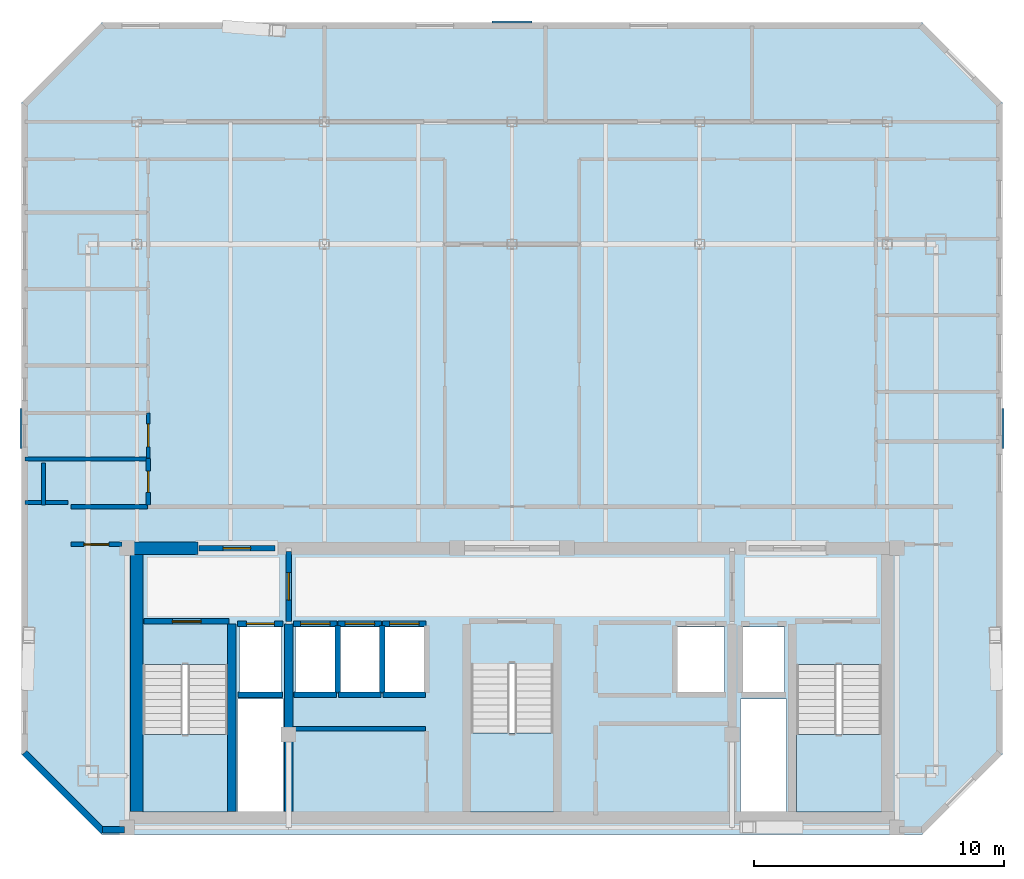
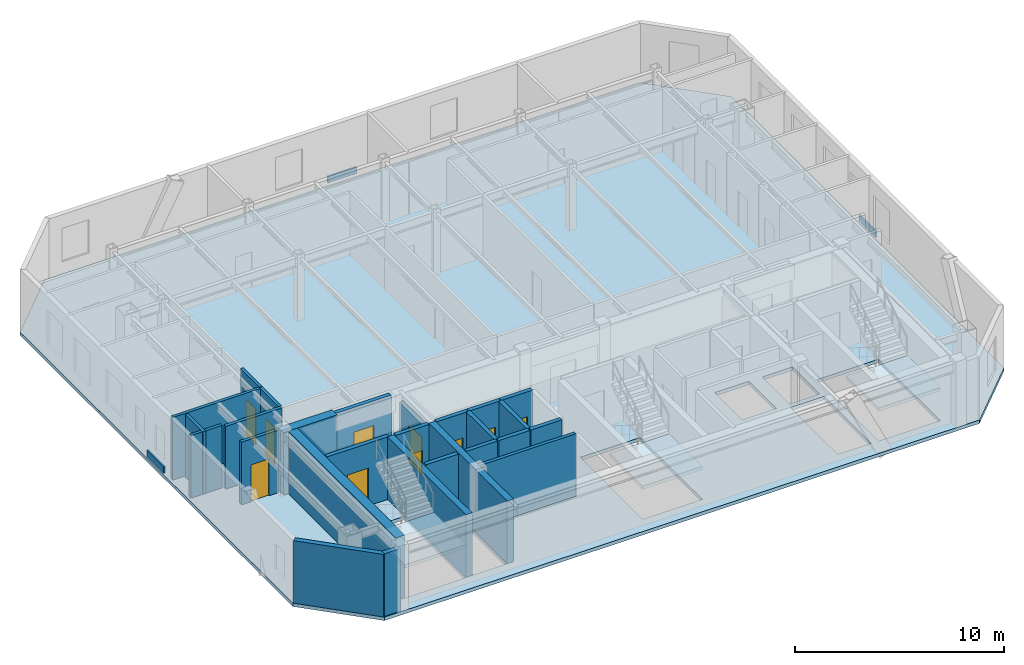
# One storey, part 2 of 7: 27 walls, 10 doors, 4 slabs, 3 plates, 10 openings, 3 elements without a shape of their own.
"""IFC4 building model written with IfcOpenShell, lengths in metres."""

from ifc_helpers import new_model, si_unit, direction, frame, frame_2d, origin, origin_2d, place, context, subcontext, project, spatial, polyline, rectangle, outline, extrude, material, layer, layer_set, type_object, element, fill, aggregate, save


model = new_model("IFC4")

# Units and contexts
model_context = context("Model", 3, precision=1e-05, world=origin(), true_north=direction((0.0, 1.0)))
body_context = subcontext(model_context, "Body", "Model", "MODEL_VIEW")
ifc_project = project(units=[si_unit("LENGTHUNIT", "METRE"), si_unit("AREAUNIT", "SQUARE_METRE"), si_unit("VOLUMEUNIT", "CUBIC_METRE"), si_unit("PLANEANGLEUNIT", "RADIAN"), si_unit("MASSUNIT", "GRAM", prefix="KILO")], contexts=[model_context])

# Site, building, storey
site_placement = place(None, origin())
site = spatial("IfcSite", under=ifc_project, at=site_placement, CompositionType="ELEMENT")
building_placement = place(site_placement, origin())
building = spatial("IfcBuilding", under=site, at=building_placement, Name="Ventersveld Concourse Tower", CompositionType="ELEMENT")
storey_placement = place(building_placement, frame((0.0, 0.0, 324.60009765625)))
storey = spatial("IfcBuildingStorey", under=building, at=storey_placement, Name="L80", CompositionType="ELEMENT", Elevation=324.60009765625)

# Plates
ifc_material_1 = material(Name="Precast concrete C45/55", Category="concrete")
ifc_layer_1 = layer(ifc_material_1, 0.080078125)
ifc_layer_set_1 = layer_set([ifc_layer_1], Name="Precast concrete C45/55")
plate_type = type_object("IfcPlateType", Name="PL-SPAND-80", PredefinedType="SHEET", material=ifc_layer_set_1)
for number, where, z_axis, x_axis, name in (
    (1, (48.384765625, 16.2353515625, 0.169921875), (0.0, 0.0, 1.0), (0.0, 1.0, 0.0), "L80 Litema Bas-Relief Precast Spandrel Cassette 1"),
    (2, (28.75, 32.490478515625, 0.169921875), (0.0, 0.0, 1.0), (-1.0, 0.0, 0.0), "L80 Litema Bas-Relief Precast Spandrel Cassette 1"),
    (3, (9.115234375, 16.2353515625, 0.169921875), (0.0, 0.0, 1.0), (0.0, -1.0, 0.0), "L80 Litema Bas-Relief Precast Spandrel Cassette 1"),
):
    element("IfcPlate", number, at=place(storey_placement, frame(where, z_axis=z_axis, x_axis=x_axis)), inside=storey, type_object=plate_type, Name=name, PredefinedType="SHEET", context=body_context, shape_type="SweptSolid", body=[
        extrude(rectangle(XDim=1.60009765625, YDim=0.080078125, at=origin_2d()), origin(), (0.0, 0.0, 1.0), 0.3798828125),
    ])

# Slab
ifc_material_2 = material(Name="Concrete C50/60", Category="concrete")
ifc_layer_2 = layer(ifc_material_2, 0.199951171875)
ifc_layer_set_2 = layer_set([ifc_layer_2], Name="Concrete C50/60")
slab_type_1 = type_object("IfcSlabType", Name="SL-FLR-200", PredefinedType="FLOOR", material=ifc_layer_set_2)
slab_1_placement = place(storey_placement, frame((0.0, 0.0, -0.2001953125)))
element("IfcSlab", 4, at=slab_1_placement, inside=storey, type_object=slab_type_1, Name="L80 Composite Floor Slab", PredefinedType="FLOOR", context=body_context, shape_type="SweptSolid", body=[
    extrude(outline(polyline([(12.335205078125, 0.0), (45.164794921875, 0.0), (48.36474609375, 3.199951171875), (48.36474609375, 29.2705078125), (45.164794921875, 32.470703125), (12.335205078125, 32.470703125), (9.13525390625, 29.2705078125), (9.13525390625, 3.199951171875), (12.335205078125, 0.0)]), holes=[polyline([(13.97998046875, 6.794921875), (13.97998046875, 0.89990234375), (17.3798828125, 0.89990234375), (17.3798828125, 6.794921875), (13.97998046875, 6.794921875)]), polyline([(40.1201171875, 6.794921875), (40.1201171875, 0.89990234375), (43.52001953125, 0.89990234375), (43.52001953125, 6.794921875), (40.1201171875, 6.794921875)]), polyline([(27.10009765625, 6.844970703125), (27.10009765625, 0.89990234375), (30.39990234375, 0.89990234375), (30.39990234375, 6.844970703125), (27.10009765625, 6.844970703125)]), polyline([(17.85009765625, 5.699951171875), (19.530029296875, 5.699951171875), (19.530029296875, 8.300048828125), (17.85009765625, 8.300048828125), (17.85009765625, 5.699951171875)]), polyline([(37.969970703125, 5.699951171875), (39.64990234375, 5.699951171875), (39.64990234375, 8.300048828125), (37.969970703125, 8.300048828125), (37.969970703125, 5.699951171875)]), polyline([(35.35009765625, 5.699951171875), (37.25, 5.699951171875), (37.25, 8.300048828125), (35.35009765625, 8.300048828125), (35.35009765625, 5.699951171875)]), polyline([(20.090087890625, 5.699951171875), (21.68994140625, 5.699951171875), (21.68994140625, 8.300048828125), (20.090087890625, 8.300048828125), (20.090087890625, 5.699951171875)]), polyline([(21.8701171875, 5.699951171875), (23.469970703125, 5.699951171875), (23.469970703125, 8.300048828125), (21.8701171875, 8.300048828125), (21.8701171875, 5.699951171875)]), polyline([(23.64990234375, 5.699951171875), (25.25, 5.699951171875), (25.25, 8.300048828125), (23.64990234375, 8.300048828125), (23.64990234375, 5.699951171875)]), polyline([(17.780029296875, 0.919921875), (19.6201171875, 0.919921875), (19.6201171875, 5.419921875), (17.780029296875, 5.419921875), (17.780029296875, 0.919921875)]), polyline([(37.8798828125, 0.919921875), (39.719970703125, 0.919921875), (39.719970703125, 5.419921875), (37.8798828125, 5.419921875), (37.8798828125, 0.919921875)])]), origin(), (0.0, 0.0, 1.0), 0.2001953125),
])

# Stair, slab
stair_type_1 = type_object("IfcStairType", Name="ST-DOG-160", PredefinedType="HALF_TURN_STAIR", material=ifc_material_2)
stair_1_placement = place(storey_placement, origin())
stair_1 = element("IfcStair", 5, at=stair_1_placement, inside=storey, type_object=stair_type_1, Name="L80 Protected Tower Escape Stair ST-01", PredefinedType="HALF_TURN_STAIR")
ifc_layer_3 = layer(ifc_material_2, 0.199951171875)
ifc_layer_set_3 = layer_set([ifc_layer_3], Name="Concrete C50/60")
slab_type_2 = type_object("IfcSlabType", Name="SL-LND-200", PredefinedType="LANDING", material=ifc_layer_set_3)
slab_2_placement = place(storey_placement, frame((0.0, 0.0, 1.724853515625)))
slab_2 = element("IfcSlab", 6, at=slab_2_placement, type_object=slab_type_2, Name="ST-01 landing 1", PredefinedType="LANDING", context=body_context, shape_type="SweptSolid", body=[
    extrude(outline(polyline([(13.97998046875, 4.0), (13.97998046875, 0.89990234375), (17.3798828125, 0.89990234375), (17.3798828125, 4.0), (13.97998046875, 4.0)])), origin(), (0.0, 0.0, 1.0), 0.199951171875),
])
aggregate(stair_1, [slab_2])

stair_2_placement = place(storey_placement, origin())
stair_2 = element("IfcStair", 7, at=stair_2_placement, inside=storey, type_object=stair_type_1, Name="L80 Protected Tower Escape Stair ST-02", PredefinedType="HALF_TURN_STAIR")
slab_3_placement = place(storey_placement, frame((0.0, 0.0, 1.724853515625)))
slab_3 = element("IfcSlab", 8, at=slab_3_placement, type_object=slab_type_2, Name="ST-02 landing 1", PredefinedType="LANDING", context=body_context, shape_type="SweptSolid", body=[
    extrude(outline(polyline([(40.1201171875, 4.0), (40.1201171875, 0.89990234375), (43.52001953125, 0.89990234375), (43.52001953125, 4.0), (40.1201171875, 4.0)])), origin(), (0.0, 0.0, 1.0), 0.199951171875),
])
aggregate(stair_2, [slab_3])

stair_type_2 = type_object("IfcStairType", Name="ST-DOG-155", PredefinedType="HALF_TURN_STAIR", material=ifc_material_2)
stair_3_placement = place(storey_placement, origin())
stair_3 = element("IfcStair", 9, at=stair_3_placement, inside=storey, type_object=stair_type_2, Name="L80 Protected Central Core Escape Stair ST-03", PredefinedType="HALF_TURN_STAIR")
slab_4_placement = place(storey_placement, frame((0.0, 0.0, 1.724853515625)))
slab_4 = element("IfcSlab", 10, at=slab_4_placement, type_object=slab_type_2, Name="ST-03 landing 1", PredefinedType="LANDING", context=body_context, shape_type="SweptSolid", body=[
    extrude(outline(polyline([(27.10009765625, 4.050048828125), (27.10009765625, 0.89990234375), (30.39990234375, 0.89990234375), (30.39990234375, 4.050048828125), (27.10009765625, 4.050048828125)])), origin(), (0.0, 0.0, 1.0), 0.199951171875),
])
aggregate(stair_3, [slab_4])

# Walls
ifc_layer_4 = layer(ifc_material_2, 0.35009765625)
ifc_layer_set_4 = layer_set([ifc_layer_4], Name="Concrete C50/60")
wall_type_1 = type_object("IfcWallType", Name="WL-CORE-350U", PredefinedType="SHEAR", material=ifc_layer_set_4)
for number, where, z_axis, x_axis, name in (
    (11, (17.5400390625, 0.919921875, 0.0), (0.0, 0.0, 1.0), (0.0, 1.0, 0.0), "L80 Core Internal Shear Web W-ST1-E"),
    (12, (19.820068359375, 0.919921875, 0.0), (0.0, 0.0, 1.0), (0.0, 1.0, 0.0), "L80 Core Internal Shear Web W-FF1-E"),
):
    element("IfcWall", number, at=place(storey_placement, frame(where, z_axis=z_axis, x_axis=x_axis)), inside=storey, type_object=wall_type_1, Name=name, PredefinedType="SHEAR", context=body_context, shape_type="SweptSolid", body=[
        extrude(rectangle(XDim=7.5, YDim=0.35009765625, at=frame_2d((3.75, 0.0))), origin(), (0.0, 0.0, 1.0), 3.64990234375),
    ])
ifc_layer_5 = layer(ifc_material_2, 0.5)
ifc_layer_set_5 = layer_set([ifc_layer_5], Name="Concrete C50/60")
wall_type_2 = type_object("IfcWallType", Name="WL-CORE-500", PredefinedType="SHEAR", material=ifc_layer_set_5)
wall_1_placement = place(storey_placement, frame((13.75, 0.919921875, 0.0), z_axis=(0.0, 0.0, 1.0), x_axis=(0.0, 1.0, 0.0)))
element("IfcWall", 13, at=wall_1_placement, inside=storey, type_object=wall_type_2, Name="L80 Rear Core West Shear Wall", PredefinedType="SHEAR", context=body_context, shape_type="SweptSolid", body=[
    extrude(rectangle(XDim=10.530029296875, YDim=0.5, at=frame_2d((5.26513671875, 0.0))), origin(), (0.0, 0.0, 1.0), 3.64990234375),
])
wall_2_placement = place(storey_placement, frame((13.25, 11.449951171875, 0.0), z_axis=(0.0, 0.0, 1.0), x_axis=(1.0, 0.0, 0.0)))
element("IfcWall", 14, at=wall_2_placement, inside=storey, type_object=wall_type_2, Name="L80 Rear Core North Shear Wall NW", PredefinedType="SHEAR", context=body_context, shape_type="SweptSolid", body=[
    extrude(rectangle(XDim=2.949951171875, YDim=0.5, at=frame_2d((1.47509765625, 0.0))), origin(), (0.0, 0.0, 1.0), 3.64990234375),
])
ifc_material_3 = material(Name="Fire-rated autoclaved aerated masonry blockwork", Category="masonry")
ifc_layer_6 = layer(ifc_material_3, 0.179931640625)
ifc_layer_set_6 = layer_set([ifc_layer_6], Name="Fire-rated autoclaved aerated masonry blockwork")
wall_type_3 = type_object("IfcWallType", Name="WL-CORR-180", PredefinedType="PARTITIONING", material=ifc_layer_set_6)
wall_3_placement = place(storey_placement, frame((19.97998046875, 4.22998046875, 0.0), z_axis=(0.0, 0.0, 1.0), x_axis=(1.0, 0.0, 0.0)))
element("IfcWall", 15, at=wall_3_placement, inside=storey, type_object=wall_type_3, Name="L80 Core Top Wall SP-L80-RECB1A", PredefinedType="PARTITIONING", context=body_context, shape_type="SweptSolid", body=[
    extrude(rectangle(XDim=5.320068359375, YDim=0.179931640625, at=frame_2d((2.66015625, 0.0))), origin(), (0.0, 0.0, 1.0), 3.64990234375),
])

# Wall, opening, door
wall_4_placement = place(storey_placement, frame((11.10498046875, 11.60009765625, 0.0), z_axis=(0.0, 0.0, 1.0), x_axis=(1.0, 0.0, 0.0)))
wall_4 = element("IfcWall", 16, at=wall_4_placement, inside=storey, type_object=wall_type_3, Name="L80 Interior Partition SP-L80-SW-GAL-SP-L80-COR", PredefinedType="PARTITIONING", context=body_context, shape_type="SweptSolid", body=[
    extrude(rectangle(XDim=2.0400390625, YDim=0.179931640625, at=frame_2d((1.02001953125, 0.0))), origin(), (0.0, 0.0, 1.0), 3.64990234375),
])
opening_1_placement = place(wall_4_placement, frame((0.52001953125, 0.0, 0.0)))
opening_1 = element("IfcOpeningElement", 17, at=opening_1_placement, cuts=wall_4, Name="Opening FD3", PredefinedType="OPENING", context=body_context, shape_type="SweptSolid", body=[
    extrude(rectangle(XDim=1.0, YDim=2.14990234375, at=frame_2d((0.5, 1.074951171875))), frame((0.0, 0.10009765625, 0.0), z_axis=(0.0, -1.0, 0.0), x_axis=(1.0, 0.0, 0.0)), (0.0, 0.0, 1.0), 0.199951171875),
])
ifc_material_4 = material(Name="Solid-core hardwood veneer timber", Category="wood")
door_type_1 = type_object("IfcDoorType", Name="DR-FLAT-100", OperationType="NOTDEFINED", PredefinedType="DOOR", material=ifc_material_4)
door_1_placement = place(opening_1_placement, origin())
door_1 = element("IfcDoor", 18, at=door_1_placement, inside=storey, type_object=door_type_1, Name="L80 Interior Door SP-L80-SW-GAL to SP-L80-COR (D-L80-3639)", OperationType="SINGLE_SWING_LEFT", OverallHeight=2.14990234375, OverallWidth=1.0, PredefinedType="DOOR", context=body_context, shape_type="SweptSolid", body=[
    extrude(rectangle(XDim=1.0, YDim=2.14990234375, at=frame_2d((0.5, 1.074951171875))), frame((0.0, 0.02490234375, 0.0), z_axis=(0.0, -1.0, 0.0), x_axis=(1.0, 0.0, 0.0)), (0.0, 0.0, 1.0), 0.050048828125),
])
fill(opening_1, door_1)

# Walls
wall_5_placement = place(storey_placement, frame((11.10498046875, 13.114990234375, 0.0), z_axis=(0.0, 0.0, 1.0), x_axis=(1.0, 0.0, 0.0)))
element("IfcWall", 19, at=wall_5_placement, inside=storey, type_object=wall_type_3, Name="L80 Interior Partition SP-L80-COR-SP-L80-80N1-BATH", PredefinedType="PARTITIONING", context=body_context, shape_type="SweptSolid", body=[
    extrude(rectangle(XDim=3.065185546875, YDim=0.179931640625, at=frame_2d((1.53271484375, 0.0))), origin(), (0.0, 0.0, 1.0), 3.64990234375),
])
ifc_layer_7 = layer(ifc_material_3, 0.219970703125)
ifc_layer_set_7 = layer_set([ifc_layer_7], Name="Fire-rated autoclaved aerated masonry blockwork")
wall_type_4 = type_object("IfcWallType", Name="WL-HOIST-220", PredefinedType="SOLIDWALL", material=ifc_layer_set_7)
wall_6_placement = place(storey_placement, frame((17.800048828125, 5.590087890625, 0.0), z_axis=(0.0, 0.0, 1.0), x_axis=(1.0, 0.0, 0.0)))
element("IfcWall", 20, at=wall_6_placement, inside=storey, type_object=wall_type_4, Name="L80 Lift Hoistway Back Wall FFL-01", PredefinedType="SOLIDWALL", context=body_context, shape_type="SweptSolid", body=[
    extrude(rectangle(XDim=1.780029296875, YDim=0.219970703125, at=frame_2d((0.89013671875, 0.0))), origin(), (0.0, 0.0, 1.0), 3.64990234375),
])

# Wall, opening, door
wall_7_placement = place(storey_placement, frame((17.780029296875, 8.429931640625, 0.0), z_axis=(0.0, 0.0, 1.0), x_axis=(1.0, 0.0, 0.0)))
wall_7 = element("IfcWall", 21, at=wall_7_placement, inside=storey, type_object=wall_type_4, Name="L80 Lift Hoistway Front Wall FFL-01", PredefinedType="SOLIDWALL", context=body_context, shape_type="SweptSolid", body=[
    extrude(rectangle(XDim=1.820068359375, YDim=0.219970703125, at=frame_2d((0.91015625, 0.0))), origin(), (0.0, 0.0, 1.0), 3.64990234375),
])
opening_2_placement = place(wall_7_placement, frame((0.35009765625, 0.0, 0.0)))
opening_2 = element("IfcOpeningElement", 22, at=opening_2_placement, cuts=wall_7, Name="Opening LD1", PredefinedType="OPENING", context=body_context, shape_type="SweptSolid", body=[
    extrude(rectangle(XDim=1.1201171875, YDim=2.25, at=frame_2d((0.56005859375, 1.125))), frame((0.0, 0.1201171875, 0.0), z_axis=(0.0, -1.0, 0.0), x_axis=(1.0, 0.0, 0.0)), (0.0, 0.0, 1.0), 0.239990234375),
])
ifc_material_5 = material(Name="Brushed stainless steel 316", Category="steel")
door_type_2 = type_object("IfcDoorType", Name="LD-FF-112", OperationType="SLIDING_TO_LEFT", PredefinedType="DOOR", material=ifc_material_5)
door_2_placement = place(opening_2_placement, origin())
door_2 = element("IfcDoor", 23, at=door_2_placement, inside=storey, type_object=door_type_2, Name="L80 Lift landing door FFL-01 (LD-L80-FFL-01)", OperationType="SLIDING_TO_RIGHT", OverallHeight=2.25, OverallWidth=1.1201171875, PredefinedType="DOOR", context=body_context, shape_type="SweptSolid", body=[
    extrude(rectangle(XDim=1.1201171875, YDim=2.25, at=frame_2d((0.56005859375, 1.125))), frame((0.0, 0.02490234375, 0.0), z_axis=(0.0, -1.0, 0.0), x_axis=(1.0, 0.0, 0.0)), (0.0, 0.0, 1.0), 0.050048828125),
])
fill(opening_2, door_2)

# Walls
wall_8_placement = place(storey_placement, frame((20.0400390625, 5.590087890625, 0.0), z_axis=(0.0, 0.0, 1.0), x_axis=(1.0, 0.0, 0.0)))
element("IfcWall", 24, at=wall_8_placement, inside=storey, type_object=wall_type_4, Name="L80 Lift Hoistway Back Wall PH-01", PredefinedType="SOLIDWALL", context=body_context, shape_type="SweptSolid", body=[
    extrude(rectangle(XDim=1.699951171875, YDim=0.219970703125, at=frame_2d((0.85009765625, 0.0))), origin(), (0.0, 0.0, 1.0), 3.64990234375),
])
wall_9_placement = place(storey_placement, frame((21.780029296875, 5.64990234375, 0.0), z_axis=(0.0, 0.0, 1.0), x_axis=(0.0, 1.0, 0.0)))
element("IfcWall", 25, at=wall_9_placement, inside=storey, type_object=wall_type_4, Name="L80 Lift Hoistway Side Wall PH-01E", PredefinedType="SOLIDWALL", context=body_context, shape_type="SweptSolid", body=[
    extrude(rectangle(XDim=2.7001953125, YDim=0.219970703125, at=frame_2d((1.35009765625, 0.0))), origin(), (0.0, 0.0, 1.0), 3.64990234375),
])

# Wall, opening, door
wall_10_placement = place(storey_placement, frame((20.02001953125, 8.429931640625, 0.0), z_axis=(0.0, 0.0, 1.0), x_axis=(1.0, 0.0, 0.0)))
wall_10 = element("IfcWall", 26, at=wall_10_placement, inside=storey, type_object=wall_type_4, Name="L80 Lift Hoistway Front Wall PH-01", PredefinedType="SOLIDWALL", context=body_context, shape_type="SweptSolid", body=[
    extrude(rectangle(XDim=1.739990234375, YDim=0.219970703125, at=frame_2d((0.8701171875, 0.0))), origin(), (0.0, 0.0, 1.0), 3.64990234375),
])
opening_3_placement = place(wall_10_placement, frame((0.280029296875, 0.0, 0.0)))
opening_3 = element("IfcOpeningElement", 27, at=opening_3_placement, cuts=wall_10, Name="Opening LD2", PredefinedType="OPENING", context=body_context, shape_type="SweptSolid", body=[
    extrude(rectangle(XDim=1.179931640625, YDim=2.199951171875, at=frame_2d((0.58984375, 1.10009765625))), frame((0.0, 0.1201171875, 0.0), z_axis=(0.0, -1.0, 0.0), x_axis=(1.0, 0.0, 0.0)), (0.0, 0.0, 1.0), 0.239990234375),
])
door_type_3 = type_object("IfcDoorType", Name="LD-PAX-118", OperationType="SLIDING_TO_LEFT", PredefinedType="DOOR", material=ifc_material_5)
door_3_placement = place(opening_3_placement, origin())
door_3 = element("IfcDoor", 28, at=door_3_placement, inside=storey, type_object=door_type_3, Name="L80 Lift landing door PH-01 (LD-L80-PH-01)", OperationType="SLIDING_TO_LEFT", OverallHeight=2.199951171875, OverallWidth=1.179931640625, PredefinedType="DOOR", context=body_context, shape_type="SweptSolid", body=[
    extrude(rectangle(XDim=1.179931640625, YDim=2.199951171875, at=frame_2d((0.58984375, 1.10009765625))), frame((0.0, 0.02490234375, 0.0), z_axis=(0.0, -1.0, 0.0), x_axis=(1.0, 0.0, 0.0)), (0.0, 0.0, 1.0), 0.050048828125),
])
fill(opening_3, door_3)

# Walls
wall_11_placement = place(storey_placement, frame((21.820068359375, 5.590087890625, 0.0), z_axis=(0.0, 0.0, 1.0), x_axis=(1.0, 0.0, 0.0)))
element("IfcWall", 29, at=wall_11_placement, inside=storey, type_object=wall_type_4, Name="L80 Lift Hoistway Back Wall PH-02", PredefinedType="SOLIDWALL", context=body_context, shape_type="SweptSolid", body=[
    extrude(rectangle(XDim=1.699951171875, YDim=0.219970703125, at=frame_2d((0.85009765625, 0.0))), origin(), (0.0, 0.0, 1.0), 3.64990234375),
])
wall_12_placement = place(storey_placement, frame((23.56005859375, 5.64990234375, 0.0), z_axis=(0.0, 0.0, 1.0), x_axis=(0.0, 1.0, 0.0)))
element("IfcWall", 30, at=wall_12_placement, inside=storey, type_object=wall_type_4, Name="L80 Lift Hoistway Side Wall PH-02E", PredefinedType="SOLIDWALL", context=body_context, shape_type="SweptSolid", body=[
    extrude(rectangle(XDim=2.7001953125, YDim=0.219970703125, at=frame_2d((1.35009765625, 0.0))), origin(), (0.0, 0.0, 1.0), 3.64990234375),
])

# Wall, opening, door
wall_13_placement = place(storey_placement, frame((21.800048828125, 8.429931640625, 0.0), z_axis=(0.0, 0.0, 1.0), x_axis=(1.0, 0.0, 0.0)))
wall_13 = element("IfcWall", 31, at=wall_13_placement, inside=storey, type_object=wall_type_4, Name="L80 Lift Hoistway Front Wall PH-02", PredefinedType="SOLIDWALL", context=body_context, shape_type="SweptSolid", body=[
    extrude(rectangle(XDim=1.739990234375, YDim=0.219970703125, at=frame_2d((0.8701171875, 0.0))), origin(), (0.0, 0.0, 1.0), 3.64990234375),
])
opening_4_placement = place(wall_13_placement, frame((0.280029296875, 0.0, 0.0)))
opening_4 = element("IfcOpeningElement", 32, at=opening_4_placement, cuts=wall_13, Name="Opening LD2", PredefinedType="OPENING", context=body_context, shape_type="SweptSolid", body=[
    extrude(rectangle(XDim=1.179931640625, YDim=2.199951171875, at=frame_2d((0.58984375, 1.10009765625))), frame((0.0, 0.1201171875, 0.0), z_axis=(0.0, -1.0, 0.0), x_axis=(1.0, 0.0, 0.0)), (0.0, 0.0, 1.0), 0.239990234375),
])
door_4_placement = place(opening_4_placement, origin())
door_4 = element("IfcDoor", 33, at=door_4_placement, inside=storey, type_object=door_type_3, Name="L80 Lift landing door PH-02 (LD-L80-PH-02)", OperationType="SLIDING_TO_RIGHT", OverallHeight=2.199951171875, OverallWidth=1.179931640625, PredefinedType="DOOR", context=body_context, shape_type="SweptSolid", body=[
    extrude(rectangle(XDim=1.179931640625, YDim=2.199951171875, at=frame_2d((0.58984375, 1.10009765625))), frame((0.0, 0.02490234375, 0.0), z_axis=(0.0, -1.0, 0.0), x_axis=(1.0, 0.0, 0.0)), (0.0, 0.0, 1.0), 0.050048828125),
])
fill(opening_4, door_4)

# Wall
wall_14_placement = place(storey_placement, frame((23.60009765625, 5.590087890625, 0.0), z_axis=(0.0, 0.0, 1.0), x_axis=(1.0, 0.0, 0.0)))
element("IfcWall", 34, at=wall_14_placement, inside=storey, type_object=wall_type_4, Name="L80 Lift Hoistway Back Wall PH-03", PredefinedType="SOLIDWALL", context=body_context, shape_type="SweptSolid", body=[
    extrude(rectangle(XDim=1.699951171875, YDim=0.219970703125, at=frame_2d((0.85009765625, 0.0))), origin(), (0.0, 0.0, 1.0), 3.64990234375),
])

# Wall, opening, door
wall_15_placement = place(storey_placement, frame((23.580078125, 8.429931640625, 0.0), z_axis=(0.0, 0.0, 1.0), x_axis=(1.0, 0.0, 0.0)))
wall_15 = element("IfcWall", 35, at=wall_15_placement, inside=storey, type_object=wall_type_4, Name="L80 Lift Hoistway Front Wall PH-03", PredefinedType="SOLIDWALL", context=body_context, shape_type="SweptSolid", body=[
    extrude(rectangle(XDim=1.739990234375, YDim=0.219970703125, at=frame_2d((0.8701171875, 0.0))), origin(), (0.0, 0.0, 1.0), 3.64990234375),
])
opening_5_placement = place(wall_15_placement, frame((0.280029296875, 0.0, 0.0)))
opening_5 = element("IfcOpeningElement", 36, at=opening_5_placement, cuts=wall_15, Name="Opening LD2", PredefinedType="OPENING", context=body_context, shape_type="SweptSolid", body=[
    extrude(rectangle(XDim=1.179931640625, YDim=2.199951171875, at=frame_2d((0.58984375, 1.10009765625))), frame((0.0, 0.1201171875, 0.0), z_axis=(0.0, -1.0, 0.0), x_axis=(1.0, 0.0, 0.0)), (0.0, 0.0, 1.0), 0.239990234375),
])
door_5_placement = place(opening_5_placement, origin())
door_5 = element("IfcDoor", 37, at=door_5_placement, inside=storey, type_object=door_type_3, Name="L80 Lift landing door PH-03 (LD-L80-PH-03)", OperationType="SLIDING_TO_LEFT", OverallHeight=2.199951171875, OverallWidth=1.179931640625, PredefinedType="DOOR", context=body_context, shape_type="SweptSolid", body=[
    extrude(rectangle(XDim=1.179931640625, YDim=2.199951171875, at=frame_2d((0.58984375, 1.10009765625))), frame((0.0, 0.02490234375, 0.0), z_axis=(0.0, -1.0, 0.0), x_axis=(1.0, 0.0, 0.0)), (0.0, 0.0, 1.0), 0.050048828125),
])
fill(opening_5, door_5)

wall_16_placement = place(storey_placement, frame((14.0400390625, 8.52001953125, 0.0), z_axis=(0.0, 0.0, 1.0), x_axis=(1.0, 0.0, 0.0)))
wall_16 = element("IfcWall", 38, at=wall_16_placement, inside=storey, type_object=wall_type_4, Name="L80 Escape Stair ST01 Fire Wall", PredefinedType="SOLIDWALL", context=body_context, shape_type="SweptSolid", body=[
    extrude(rectangle(XDim=3.39990234375, YDim=0.219970703125, at=frame_2d((1.699951171875, 0.0))), origin(), (0.0, 0.0, 1.0), 3.64990234375),
])
opening_6_placement = place(wall_16_placement, frame((1.125, 0.0, 0.0)))
opening_6 = element("IfcOpeningElement", 39, at=opening_6_placement, cuts=wall_16, Name="Opening FD1", PredefinedType="OPENING", context=body_context, shape_type="SweptSolid", body=[
    extrude(rectangle(XDim=1.14990234375, YDim=2.199951171875, at=frame_2d((0.574951171875, 1.10009765625))), frame((0.0, 0.1201171875, 0.0), z_axis=(0.0, -1.0, 0.0), x_axis=(1.0, 0.0, 0.0)), (0.0, 0.0, 1.0), 0.239990234375),
])
ifc_material_6 = material(Name="Galvanised painted steel", Category="steel")
door_type_4 = type_object("IfcDoorType", Name="DR-STAIR-115", OperationType="NOTDEFINED", PredefinedType="DOOR", material=ifc_material_6)
door_6_placement = place(opening_6_placement, origin())
door_6 = element("IfcDoor", 40, at=door_6_placement, inside=storey, type_object=door_type_4, Name="L80 Escape Stair Door ST01 (SD-L80-3628)", OperationType="SINGLE_SWING_LEFT", OverallHeight=2.199951171875, OverallWidth=1.14990234375, PredefinedType="DOOR", context=body_context, shape_type="SweptSolid", body=[
    extrude(rectangle(XDim=1.14990234375, YDim=2.199951171875, at=frame_2d((0.574951171875, 1.10009765625))), frame((0.0, 0.02490234375, 0.0), z_axis=(0.0, -1.0, 0.0), x_axis=(1.0, 0.0, 0.0)), (0.0, 0.0, 1.0), 0.050048828125),
])
fill(opening_6, door_6)

wall_17_placement = place(storey_placement, frame((19.820068359375, 8.52001953125, 0.0), z_axis=(0.0, 0.0, 1.0), x_axis=(0.0, 1.0, 0.0)))
wall_17 = element("IfcWall", 41, at=wall_17_placement, inside=storey, type_object=wall_type_4, Name="L80 Firefighting Lobby Smoke-Stop Wall FFLW-SEP", PredefinedType="SOLIDWALL", context=body_context, shape_type="SweptSolid", body=[
    extrude(rectangle(XDim=2.800048828125, YDim=0.219970703125, at=frame_2d((1.39990234375, 0.0))), origin(), (0.0, 0.0, 1.0), 3.10546875),
])
opening_7_placement = place(wall_17_placement, frame((0.85009765625, 0.0, 0.0)))
opening_7 = element("IfcOpeningElement", 42, at=opening_7_placement, cuts=wall_17, Name="Opening FD2", PredefinedType="OPENING", context=body_context, shape_type="SweptSolid", body=[
    extrude(rectangle(XDim=1.10009765625, YDim=2.199951171875, at=frame_2d((0.550048828125, 1.10009765625))), frame((0.0, 0.1201171875, 0.0), z_axis=(0.0, -1.0, 0.0), x_axis=(1.0, 0.0, 0.0)), (0.0, 0.0, 1.0), 0.239990234375),
])
door_type_5 = type_object("IfcDoorType", Name="DR-FFL-110", OperationType="NOTDEFINED", PredefinedType="DOOR", material=ifc_material_6)
door_7_placement = place(opening_7_placement, origin())
door_7 = element("IfcDoor", 43, at=door_7_placement, inside=storey, type_object=door_type_5, Name="L80 Firefighting Lobby Door FFLW-SEP (FD-L80-3631)", OperationType="SINGLE_SWING_LEFT", OverallHeight=2.199951171875, OverallWidth=1.10009765625, PredefinedType="DOOR", context=body_context, shape_type="SweptSolid", body=[
    extrude(rectangle(XDim=1.10009765625, YDim=2.199951171875, at=frame_2d((0.550048828125, 1.10009765625))), frame((0.0, 0.02490234375, 0.0), z_axis=(0.0, -1.0, 0.0), x_axis=(1.0, 0.0, 0.0)), (0.0, 0.0, 1.0), 0.050048828125),
])
fill(opening_7, door_7)

wall_18_placement = place(storey_placement, frame((16.22998046875, 11.449951171875, 0.0), z_axis=(0.0, 0.0, 1.0), x_axis=(1.0, 0.0, 0.0)))
wall_18 = element("IfcWall", 44, at=wall_18_placement, inside=storey, type_object=wall_type_4, Name="L80 Core North Fire Portal FFLW-OUT", PredefinedType="SOLIDWALL", context=body_context, shape_type="SweptSolid", body=[
    extrude(rectangle(XDim=3.0400390625, YDim=0.219970703125, at=frame_2d((1.52001953125, 0.0))), origin(), (0.0, 0.0, 1.0), 3.64990234375),
])
opening_8_placement = place(wall_18_placement, frame((0.969970703125, 0.0, 0.0)))
opening_8 = element("IfcOpeningElement", 45, at=opening_8_placement, cuts=wall_18, Name="Opening FD2", PredefinedType="OPENING", context=body_context, shape_type="SweptSolid", body=[
    extrude(rectangle(XDim=1.10009765625, YDim=2.199951171875, at=frame_2d((0.550048828125, 1.10009765625))), frame((0.0, 0.1201171875, 0.0), z_axis=(0.0, -1.0, 0.0), x_axis=(1.0, 0.0, 0.0)), (0.0, 0.0, 1.0), 0.239990234375),
])
door_8_placement = place(opening_8_placement, origin())
door_8 = element("IfcDoor", 46, at=door_8_placement, inside=storey, type_object=door_type_5, Name="L80 Core Lobby Fire Door FFLW-OUT (FD-L80-3633)", OperationType="SINGLE_SWING_RIGHT", OverallHeight=2.199951171875, OverallWidth=1.10009765625, PredefinedType="DOOR", context=body_context, shape_type="SweptSolid", body=[
    extrude(rectangle(XDim=1.10009765625, YDim=2.199951171875, at=frame_2d((0.550048828125, 1.10009765625))), frame((0.0, 0.02490234375, 0.0), z_axis=(0.0, -1.0, 0.0), x_axis=(1.0, 0.0, 0.0)), (0.0, 0.0, 1.0), 0.050048828125),
])
fill(opening_8, door_8)

ifc_material_7 = material(Name="Autoclaved aerated masonry blockwork", Category="masonry")
ifc_layer_8 = layer(ifc_material_7, 0.14990234375)
ifc_layer_set_8 = layer_set([ifc_layer_8], Name="Autoclaved aerated masonry blockwork")
wall_type_5 = type_object("IfcWallType", Name="WL-INT-150", PredefinedType="PARTITIONING", material=ifc_layer_set_8)
wall_19_placement = place(storey_placement, frame((14.205078125, 15.054931640625, 0.0), z_axis=(0.0, 0.0, 1.0), x_axis=(0.0, 1.0, 0.0)))
wall_19 = element("IfcWall", 47, at=wall_19_placement, inside=storey, type_object=wall_type_5, Name="L80 Interior Partition SP-L80-80N1-WGAL1-SP-L80-80N1-PANL6", PredefinedType="PARTITIONING", context=body_context, shape_type="SweptSolid", body=[
    extrude(rectangle(XDim=1.800048828125, YDim=0.14990234375, at=frame_2d((0.89990234375, 0.0))), origin(), (0.0, 0.0, 1.0), 3.64990234375),
])
opening_9_placement = place(wall_19_placement, frame((0.43994140625, 0.0, 0.0)))
opening_9 = element("IfcOpeningElement", 48, at=opening_9_placement, cuts=wall_19, Name="Opening ID1", PredefinedType="OPENING", context=body_context, shape_type="SweptSolid", body=[
    extrude(rectangle(XDim=0.919921875, YDim=2.10009765625, at=frame_2d((0.4599609375, 1.050048828125))), frame((0.0, 0.0849609375, 0.0), z_axis=(0.0, -1.0, 0.0), x_axis=(1.0, 0.0, 0.0)), (0.0, 0.0, 1.0), 0.169921875),
])
door_type_6 = type_object("IfcDoorType", Name="DR-ROOM-092", OperationType="NOTDEFINED", PredefinedType="DOOR", material=ifc_material_4)
door_9_placement = place(opening_9_placement, origin())
door_9 = element("IfcDoor", 49, at=door_9_placement, inside=storey, type_object=door_type_6, Name="L80 Interior Door SP-L80-80N1-WGAL1 to SP-L80-80N1-PANL6 (D-L80-3647)", OperationType="SINGLE_SWING_LEFT", OverallHeight=2.10009765625, OverallWidth=0.919921875, PredefinedType="DOOR", context=body_context, shape_type="SweptSolid", body=[
    extrude(rectangle(XDim=0.919921875, YDim=2.10009765625, at=frame_2d((0.4599609375, 1.050048828125))), frame((0.0, 0.02490234375, 0.0), z_axis=(0.0, -1.0, 0.0), x_axis=(1.0, 0.0, 0.0)), (0.0, 0.0, 1.0), 0.050048828125),
])
fill(opening_9, door_9)

# Walls
ifc_layer_9 = layer(ifc_material_1, 0.260009765625)
ifc_layer_set_9 = layer_set([ifc_layer_9], Name="Precast concrete C45/55")
wall_type_6 = type_object("IfcWallType", Name="WL-PREC-260", PredefinedType="SOLIDWALL", material=ifc_layer_set_9)
wall_20_placement = place(storey_placement, frame((12.375244140625, 0.179931640625, 0.0), z_axis=(0.0, 0.0, 1.0), x_axis=(1.0, 0.0, 0.0)))
element("IfcWall", 50, at=wall_20_placement, inside=storey, type_object=wall_type_6, Name="L80 South-West Flank Precast Wall", PredefinedType="SOLIDWALL", context=body_context, shape_type="SweptSolid", body=[
    extrude(rectangle(XDim=0.874755859375, YDim=0.260009765625, at=frame_2d((0.4375, 0.0))), origin(), (0.0, 0.0, 1.0), 3.64990234375),
])
wall_21_placement = place(storey_placement, frame((9.25537109375, 3.263671875, 0.0), z_axis=(0.0, 0.0, 1.0), x_axis=(0.707079321262, -0.707134240044, 0.0)))
element("IfcWall", 51, at=wall_21_placement, inside=storey, type_object=wall_type_6, Name="L80 Highveld Precast Facade Wall E08", PredefinedType="SOLIDWALL", context=body_context, shape_type="SweptSolid", body=[
    extrude(rectangle(XDim=4.445556640625, YDim=0.260009765625, at=frame_2d((2.22265625, 0.0))), origin(), (0.0, 0.0, 1.0), 3.64990234375),
])

# Wall, opening, door
ifc_layer_10 = layer(ifc_material_7, 0.1650390625)
ifc_layer_set_10 = layer_set([ifc_layer_10], Name="Autoclaved aerated masonry blockwork")
wall_type_7 = type_object("IfcWallType", Name="WL-WET-165", PredefinedType="PLUMBINGWALL", material=ifc_layer_set_10)
wall_22_placement = place(storey_placement, frame((14.205078125, 13.18505859375, 0.0), z_axis=(0.0, 0.0, 1.0), x_axis=(0.0, 1.0, 0.0)))
wall_22 = element("IfcWall", 52, at=wall_22_placement, inside=storey, type_object=wall_type_7, Name="L80 Interior Partition SP-L80-80N1-WGAL1-SP-L80-80N1-BATH", PredefinedType="PLUMBINGWALL", context=body_context, shape_type="SweptSolid", body=[
    extrude(rectangle(XDim=1.83984375, YDim=0.1650390625, at=frame_2d((0.919921875, 0.0))), origin(), (0.0, 0.0, 1.0), 3.64990234375),
])
opening_10_placement = place(wall_22_placement, frame((0.4951171875, 0.0, 0.0)))
opening_10 = element("IfcOpeningElement", 53, at=opening_10_placement, cuts=wall_22, Name="Opening ID2", PredefinedType="OPENING", context=body_context, shape_type="SweptSolid", body=[
    extrude(rectangle(XDim=0.85009765625, YDim=2.10009765625, at=frame_2d((0.425048828125, 1.050048828125))), frame((0.0, 0.092529296875, 0.0), z_axis=(0.0, -1.0, 0.0), x_axis=(1.0, 0.0, 0.0)), (0.0, 0.0, 1.0), 0.18505859375),
])
door_type_7 = type_object("IfcDoorType", Name="DR-BATH-085", OperationType="NOTDEFINED", PredefinedType="DOOR", material=ifc_material_4)
door_10_placement = place(opening_10_placement, origin())
door_10 = element("IfcDoor", 54, at=door_10_placement, inside=storey, type_object=door_type_7, Name="L80 Interior Door SP-L80-80N1-WGAL1 to SP-L80-80N1-BATH (D-L80-3646)", OperationType="SINGLE_SWING_RIGHT", OverallHeight=2.10009765625, OverallWidth=0.85009765625, PredefinedType="DOOR", context=body_context, shape_type="SweptSolid", body=[
    extrude(rectangle(XDim=0.85009765625, YDim=2.10009765625, at=frame_2d((0.425048828125, 1.050048828125))), frame((0.0, 0.02490234375, 0.0), z_axis=(0.0, -1.0, 0.0), x_axis=(1.0, 0.0, 0.0)), (0.0, 0.0, 1.0), 0.050048828125),
])
fill(opening_10, door_10)

# Walls
wall_23_placement = place(storey_placement, frame((9.28466796875, 15.02001953125, 0.0), z_axis=(0.0, 0.0, 1.0), x_axis=(1.0, 0.0, 0.0)))
element("IfcWall", 55, at=wall_23_placement, inside=storey, type_object=wall_type_7, Name="L80 Interior Partition SP-L80-80N1-BATH-SP-L80-80N1-PANL6", PredefinedType="PLUMBINGWALL", context=body_context, shape_type="SweptSolid", body=[
    extrude(rectangle(XDim=4.925537109375, YDim=0.1650390625, at=frame_2d((2.462890625, 0.0))), origin(), (0.0, 0.0, 1.0), 3.64990234375),
])
wall_24_placement = place(storey_placement, frame((10.9990234375, 13.280029296875, 0.0), z_axis=(0.0, 0.0, 1.0), x_axis=(-1.0, 0.0, 0.0)))
element("IfcWall", 56, at=wall_24_placement, inside=storey, type_object=wall_type_7, Name="L80 Room Enclosure Wall SP-L80-80N1-BATH", PredefinedType="PLUMBINGWALL", context=body_context, shape_type="SweptSolid", body=[
    extrude(rectangle(XDim=1.71435546875, YDim=0.1650390625, at=frame_2d((0.857177734375, 0.0))), origin(), (0.0, 0.0, 1.0), 3.64990234375),
])
wall_25_placement = place(storey_placement, frame((10.01513671875, 13.18505859375, 0.0), z_axis=(0.0, 0.0, 1.0), x_axis=(0.0, 1.0, 0.0)))
element("IfcWall", 57, at=wall_25_placement, inside=storey, type_object=wall_type_7, Name="L80 Room Enclosure Wall SP-L80-80N1-BATH", PredefinedType="PLUMBINGWALL", context=body_context, shape_type="SweptSolid", body=[
    extrude(rectangle(XDim=1.669921875, YDim=0.1650390625, at=frame_2d((0.8349609375, 0.0))), origin(), (0.0, 0.0, 1.0), 3.64990234375),
])

save(model, "model.ifc")
